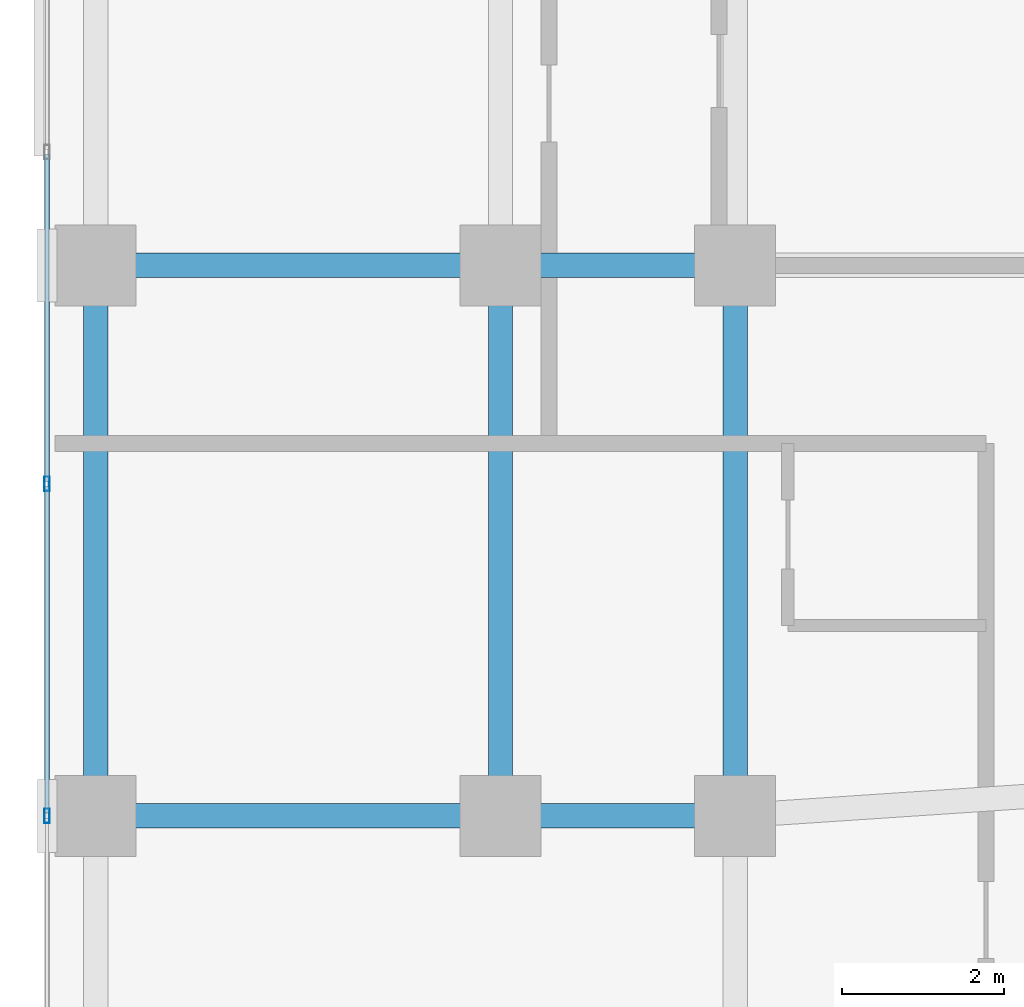
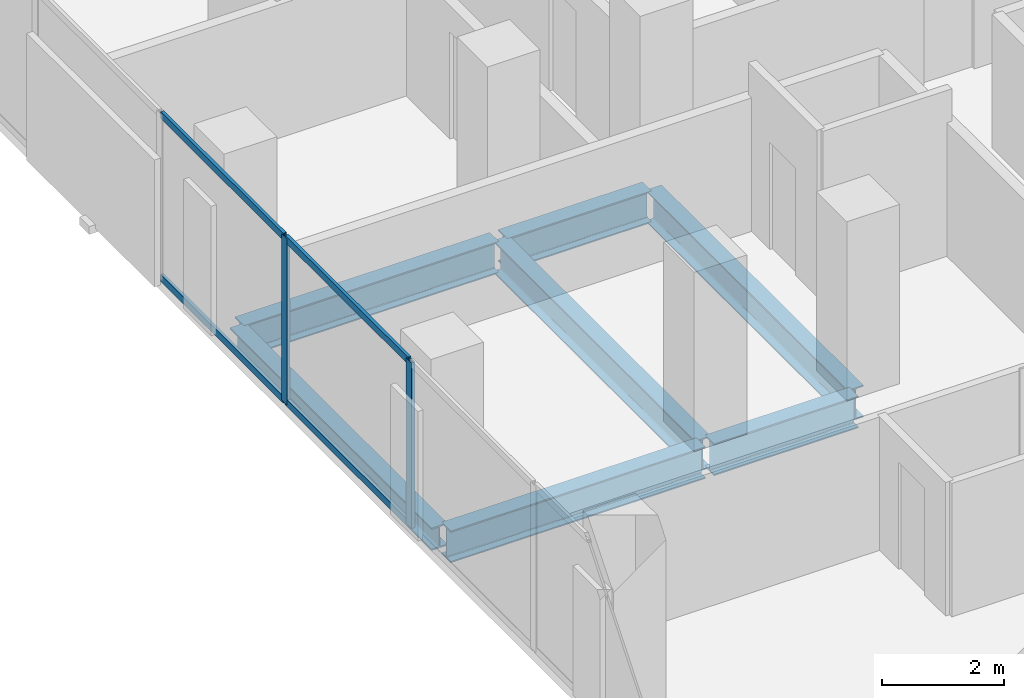
# One storey, part 10 of 31: 7 beams, 6 members, 1 element without a shape of its own.
"""IFC4 building model written with IfcOpenShell, lengths in metres."""

from ifc_helpers import new_model, si_unit, direction, frame, origin, origin_2d, place, context, subcontext, project, spatial, hollow_rectangle, i_section, extrude, material, layer, layer_set, material_profile, profile_set, type_object, element, aggregate, save


model = new_model("IFC4")

# Units and contexts
model_context = context("Model", 3, precision=1e-05, world=origin(), true_north=direction((0.0, 1.0)))
body_context = subcontext(model_context, "Body", "Model", "MODEL_VIEW")
ifc_project = project(units=[si_unit("LENGTHUNIT", "METRE"), si_unit("AREAUNIT", "SQUARE_METRE"), si_unit("VOLUMEUNIT", "CUBIC_METRE"), si_unit("PLANEANGLEUNIT", "RADIAN"), si_unit("MASSUNIT", "GRAM", prefix="KILO")], contexts=[model_context])

# Site, building, storey
site_placement = place(None, origin())
site = spatial("IfcSite", under=ifc_project, at=site_placement, CompositionType="ELEMENT")
building_placement = place(site_placement, origin())
building = spatial("IfcBuilding", under=site, at=building_placement, Name="Catumbela Crestline Tower", CompositionType="ELEMENT")
storey_placement = place(building_placement, frame((0.0, 0.0, 25.8)))
storey = spatial("IfcBuildingStorey", under=building, at=storey_placement, Name="L05", CompositionType="ELEMENT", Elevation=25.8)

# Beams
ifc_material_1 = material(Name="Structural steel S355J2", Category="steel")
ifc_material_profile_1 = material_profile(ifc_material_1, i_section(OverallWidth=0.3, OverallDepth=0.64, WebThickness=0.0135, FlangeThickness=0.026, FilletRadius=0.027, at=origin_2d()), Name="HEA 650")
ifc_profile_set_1 = profile_set([ifc_material_profile_1], Name="Structural steel S355J2")
beam_type_1 = type_object("IfcBeamType", Name="BG-HEA650", PredefinedType="BEAM", material=ifc_profile_set_1)
beam_1_placement = place(storey_placement, frame((0.68, 24.0, -0.58), z_axis=(1.0, 0.0, 0.0), x_axis=(0.0, 1.0, 0.0)))
element("IfcBeam", 1, at=beam_1_placement, inside=storey, type_object=beam_type_1, Name="L05 Beam BM-L05-S01", PredefinedType="BEAM", context=body_context, shape_type="SweptSolid", body=[
    extrude(i_section(OverallWidth=0.3, OverallDepth=0.64, WebThickness=0.0135, FlangeThickness=0.026, FilletRadius=0.027, at=origin_2d()), origin(), (0.0, 0.0, 1.0), 4.84),
])
beam_2_placement = place(storey_placement, frame((5.68, 24.0, -0.58), z_axis=(1.0, 0.0, 0.0), x_axis=(0.0, 1.0, 0.0)))
element("IfcBeam", 2, at=beam_2_placement, inside=storey, type_object=beam_type_1, Name="L05 Beam BM-L05-S02", PredefinedType="BEAM", context=body_context, shape_type="SweptSolid", body=[
    extrude(i_section(OverallWidth=0.3, OverallDepth=0.64, WebThickness=0.0135, FlangeThickness=0.026, FilletRadius=0.027, at=origin_2d()), origin(), (0.0, 0.0, 1.0), 2.74),
])
beam_3_placement = place(storey_placement, frame((0.68, 30.8, -0.58), z_axis=(1.0, 0.0, 0.0), x_axis=(0.0, 1.0, 0.0)))
element("IfcBeam", 3, at=beam_3_placement, inside=storey, type_object=beam_type_1, Name="L05 Beam BM-L05-M07", PredefinedType="BEAM", context=body_context, shape_type="SweptSolid", body=[
    extrude(i_section(OverallWidth=0.3, OverallDepth=0.64, WebThickness=0.0135, FlangeThickness=0.026, FilletRadius=0.027, at=origin_2d()), origin(), (0.0, 0.0, 1.0), 4.84),
])
beam_4_placement = place(storey_placement, frame((5.68, 30.8, -0.58), z_axis=(1.0, 0.0, 0.0), x_axis=(0.0, 1.0, 0.0)))
element("IfcBeam", 4, at=beam_4_placement, inside=storey, type_object=beam_type_1, Name="L05 Beam BM-L05-M08", PredefinedType="BEAM", context=body_context, shape_type="SweptSolid", body=[
    extrude(i_section(OverallWidth=0.3, OverallDepth=0.64, WebThickness=0.0135, FlangeThickness=0.026, FilletRadius=0.027, at=origin_2d()), origin(), (0.0, 0.0, 1.0), 2.74),
])
for number, where, z_axis, x_axis, name in (
    (5, (5.6, 24.08, -0.58), (0.0, 1.0, 0.0), (-1.0, 0.0, 0.0), "L05 Beam BM-L05-SN27"),
    (6, (8.5, 24.08, -0.58), (0.0, 1.0, 0.0), (-1.0, 0.0, 0.0), "L05 Beam BM-L05-SN29"),
):
    element("IfcBeam", number, at=place(storey_placement, frame(where, z_axis=z_axis, x_axis=x_axis)), inside=storey, type_object=beam_type_1, Name=name, PredefinedType="BEAM", context=body_context, shape_type="SweptSolid", body=[
        extrude(i_section(OverallWidth=0.3, OverallDepth=0.64, WebThickness=0.0135, FlangeThickness=0.026, FilletRadius=0.027, at=origin_2d()), origin(), (0.0, 0.0, 1.0), 6.64),
    ])

# Curtain wall, members
ifc_material_2 = material(Name="Aluminium alloy AW-6060-T66", Category="aluminium")
ifc_layer = layer(ifc_material_2, 0.18, Name="Aluminium alloy AW-6060-T66")
ifc_layer_set = layer_set([ifc_layer], Name="Aluminium alloy AW-6060-T66")
curtain_wall_type = type_object("IfcCurtainWallType", Name="CWU-Z1", PredefinedType="USERDEFINED", material=ifc_layer_set)
curtain_wall_placement = place(storey_placement, origin())
curtain_wall = element("IfcCurtainWall", 7, at=curtain_wall_placement, inside=storey, type_object=curtain_wall_type, Name="L05 Unitised Curtain Wall CW-L05-E9S1", ObjectType="UNITISED", PredefinedType="USERDEFINED")
ifc_material_profile_2 = material_profile(ifc_material_2, hollow_rectangle(XDim=0.065, YDim=0.18, WallThickness=0.004, at=origin_2d()), Name="ALU 180x65x4")
ifc_profile_set_2 = profile_set([ifc_material_profile_2], Name="Aluminium alloy AW-6060-T66")
member_type_1 = type_object("IfcMemberType", Name="MUL-180X65", PredefinedType="MULLION", material=ifc_profile_set_2)
member_1_placement = place(storey_placement, frame((0.0, 28.1, 0.0), z_axis=(0.0, 0.0, 1.0), x_axis=(1.0, 0.0, 0.0)))
member_1 = element("IfcMember", 8, at=member_1_placement, type_object=member_type_1, Name="CWU-Z1 mullion 5", PredefinedType="MULLION", context=body_context, shape_type="SweptSolid", body=[
    extrude(hollow_rectangle(XDim=0.065, YDim=0.18, WallThickness=0.004, at=origin_2d()), origin(), (0.0, 0.0, 1.0), 3.33),
])
member_2_placement = place(storey_placement, frame((0.0, 24.0, 0.0), z_axis=(0.0, 0.0, 1.0), x_axis=(1.0, 0.0, 0.0)))
member_2 = element("IfcMember", 9, at=member_2_placement, type_object=member_type_1, Name="CWU-Z1 mullion 6", PredefinedType="MULLION", context=body_context, shape_type="SweptSolid", body=[
    extrude(hollow_rectangle(XDim=0.065, YDim=0.18, WallThickness=0.004, at=origin_2d()), origin(), (0.0, 0.0, 1.0), 3.33),
])

# Beam
ifc_material_profile_3 = material_profile(ifc_material_1, i_section(OverallWidth=0.3, OverallDepth=0.45, WebThickness=0.014, FlangeThickness=0.026, FilletRadius=0.027, at=origin_2d()), Name="HEB 450")
ifc_profile_set_3 = profile_set([ifc_material_profile_3], Name="Structural steel S355J2")
beam_type_2 = type_object("IfcBeamType", Name="BS-HEB450", PredefinedType="SPANDREL", material=ifc_profile_set_3)
beam_5_placement = place(storey_placement, frame((0.6, 24.08, -0.485), z_axis=(0.0, 1.0, 0.0), x_axis=(-1.0, 0.0, 0.0)))
element("IfcBeam", 10, at=beam_5_placement, inside=storey, type_object=beam_type_2, Name="L05 Spandrel SP-L05-SN25", PredefinedType="SPANDREL", context=body_context, shape_type="SweptSolid", body=[
    extrude(i_section(OverallWidth=0.3, OverallDepth=0.45, WebThickness=0.014, FlangeThickness=0.026, FilletRadius=0.027, at=origin_2d()), origin(), (0.0, 0.0, 1.0), 6.64),
])

# Member
ifc_material_profile_4 = material_profile(ifc_material_2, hollow_rectangle(XDim=0.06, YDim=0.14, WallThickness=0.004, at=origin_2d()), Name="ALU 140x60x4")
ifc_profile_set_4 = profile_set([ifc_material_profile_4], Name="Aluminium alloy AW-6060-T66")
member_type_2 = type_object("IfcMemberType", Name="TRN-140X60", PredefinedType="USERDEFINED", material=ifc_profile_set_4)
member_3_placement = place(storey_placement, frame((0.0, 32.1675, 0.03), z_axis=(0.0, -1.0, 0.0), x_axis=(1.0, 0.0, 0.0)))
member_3 = element("IfcMember", 11, at=member_3_placement, type_object=member_type_2, Name="CWU-Z1 transom 4.1", ObjectType="TRANSOM", PredefinedType="USERDEFINED", context=body_context, shape_type="SweptSolid", body=[
    extrude(hollow_rectangle(XDim=0.06, YDim=0.14, WallThickness=0.004, at=origin_2d()), origin(), (0.0, 0.0, 1.0), 4.035),
])

member_4_placement = place(storey_placement, frame((0.0, 32.1675, 3.3), z_axis=(0.0, -1.0, 0.0), x_axis=(1.0, 0.0, 0.0)))
member_4 = element("IfcMember", 12, at=member_4_placement, type_object=member_type_2, Name="CWU-Z1 transom 4.2", ObjectType="TRANSOM", PredefinedType="USERDEFINED", context=body_context, shape_type="SweptSolid", body=[
    extrude(hollow_rectangle(XDim=0.06, YDim=0.14, WallThickness=0.004, at=origin_2d()), origin(), (0.0, 0.0, 1.0), 4.035),
])

member_5_placement = place(storey_placement, frame((0.0, 28.0675, 0.03), z_axis=(0.0, -1.0, 0.0), x_axis=(1.0, 0.0, 0.0)))
member_5 = element("IfcMember", 13, at=member_5_placement, type_object=member_type_2, Name="CWU-Z1 transom 5.1", ObjectType="TRANSOM", PredefinedType="USERDEFINED", context=body_context, shape_type="SweptSolid", body=[
    extrude(hollow_rectangle(XDim=0.06, YDim=0.14, WallThickness=0.004, at=origin_2d()), origin(), (0.0, 0.0, 1.0), 4.035),
])

member_6_placement = place(storey_placement, frame((0.0, 28.0675, 3.3), z_axis=(0.0, -1.0, 0.0), x_axis=(1.0, 0.0, 0.0)))
member_6 = element("IfcMember", 14, at=member_6_placement, type_object=member_type_2, Name="CWU-Z1 transom 5.2", ObjectType="TRANSOM", PredefinedType="USERDEFINED", context=body_context, shape_type="SweptSolid", body=[
    extrude(hollow_rectangle(XDim=0.06, YDim=0.14, WallThickness=0.004, at=origin_2d()), origin(), (0.0, 0.0, 1.0), 4.035),
])

aggregate(curtain_wall, [member_1, member_2, member_3, member_4, member_5, member_6])

save(model, "model.ifc")
